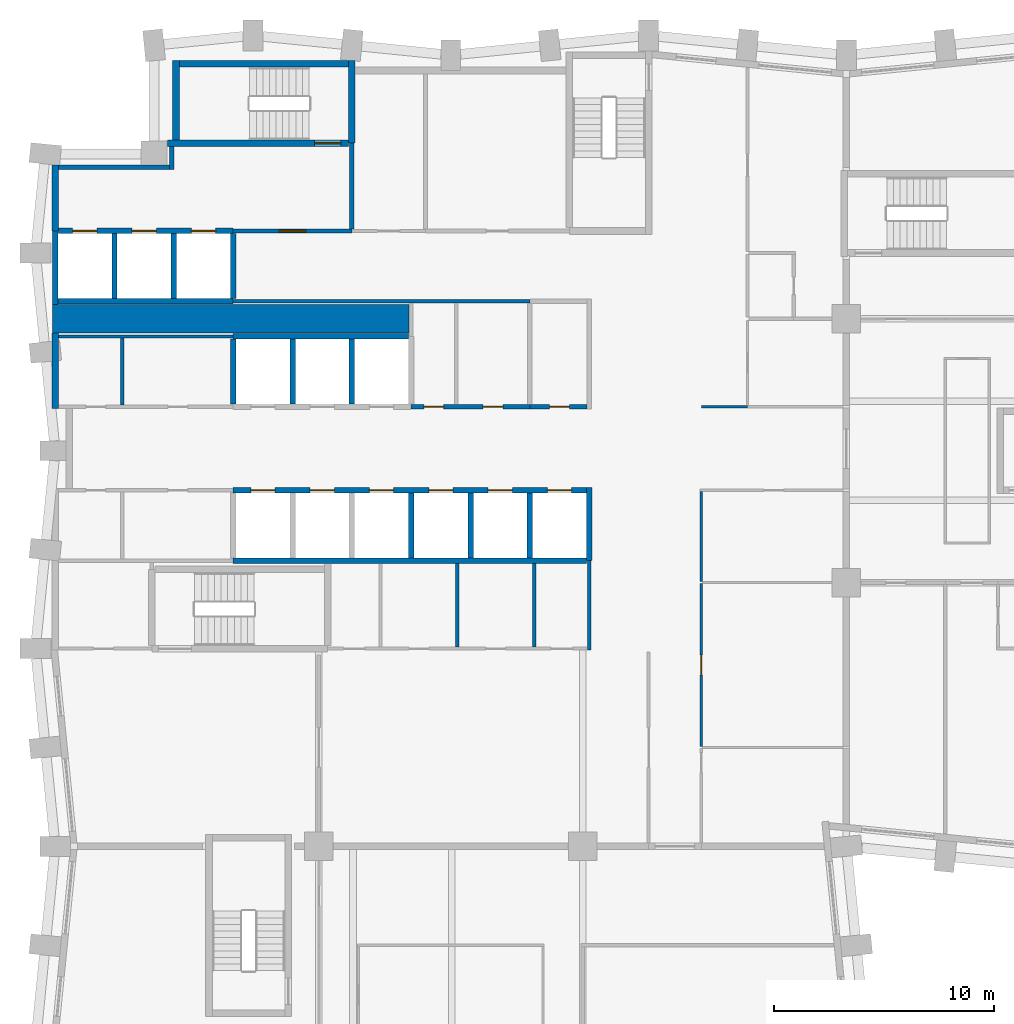
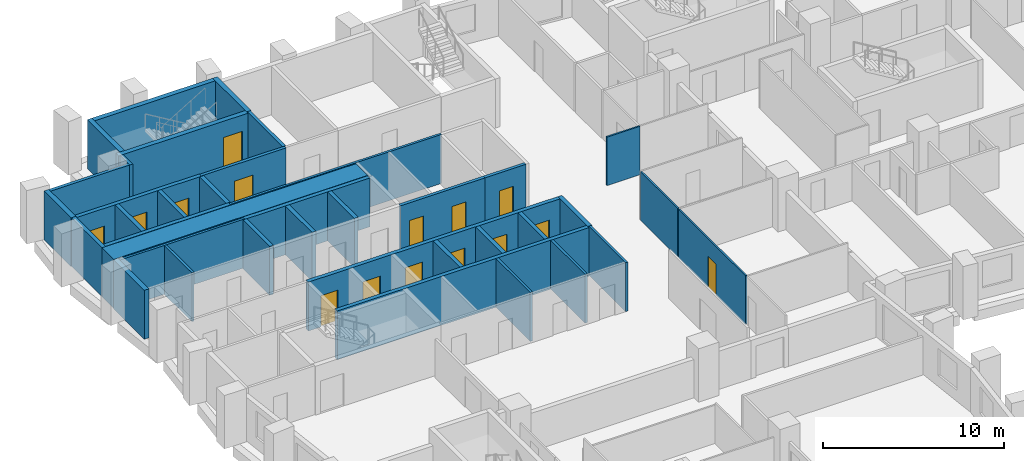
# One storey, part 6 of 13: 38 walls, 15 doors, 15 openings.
"""IFC4 building model written with IfcOpenShell, lengths in metres."""

import ifcopenshell
import ifcopenshell.guid

model = None  # the IFC model being written
_history = None  # IfcOwnerHistory: only IFC2X3 demands one
_inside = {}  # id of a spatial element -> (the spatial element, [elements in it])
_under = {}  # id of a project, library or spatial element -> (it, [spatial elements below it])
_declared = {}  # id of a project -> (the project, [libraries it declares])
_typed = {}  # id of a type object -> (the type object, [elements of that type])
_made_of = {}  # id of a material, layer set ... -> (it, [elements and type objects made of it])


def new_model(schema):
    """Start an empty IFC model of exactly this schema.

    Asked for "IFC4X3", IfcOpenShell would pick the latest addendum, in which some entities
    have other attributes; the version numbers below select the first issue.
    IFC2X3 requires an IfcOwnerHistory on every rooted entity: one is made here for all.
    """
    global model, _history
    if schema == "IFC4X3":
        model = ifcopenshell.file(schema_version=(4, 3, 0, 0))
    else:
        model = ifcopenshell.file(schema=schema)
    _inside.clear()
    _under.clear()
    _declared.clear()
    _typed.clear()
    _made_of.clear()
    _history = None
    if model.schema == "IFC2X3":
        org = make("IfcOrganization", Name="unknown")
        user = make(
            "IfcPersonAndOrganization",
            ThePerson=make("IfcPerson", FamilyName="unknown"),
            TheOrganization=org,
        )
        app = make(
            "IfcApplication",
            ApplicationDeveloper=org,
            Version="unknown",
            ApplicationFullName="unknown",
            ApplicationIdentifier="unknown",
        )
        _history = make(
            "IfcOwnerHistory",
            OwningUser=user,
            OwningApplication=app,
            ChangeAction="ADDED",
            CreationDate=0,
        )
    return model


def make(cls, **values):
    """One entity of the class cls with the attributes given. An attribute that is None is left unset."""
    return model.create_entity(
        cls, **{name: value for name, value in values.items() if value is not None}
    )


def rooted(cls, **values):
    """An entity with a GlobalId (a new one), such as an element, a storey or a relation."""
    return make(cls, GlobalId=ifcopenshell.guid.new(), OwnerHistory=_history, **values)


def si_unit(unit_type, name, prefix=None):
    """IfcSIUnit, for example si_unit("LENGTHUNIT", "METRE", prefix="MILLI")."""
    return make("IfcSIUnit", UnitType=unit_type, Prefix=prefix, Name=name)


def assignment(units):
    """IfcUnitAssignment: the units of a project."""
    return None if units is None else make("IfcUnitAssignment", Units=units)


def point(xyz):
    """IfcCartesianPoint."""
    return None if xyz is None else make("IfcCartesianPoint", Coordinates=xyz)


def direction(xyz):
    """IfcDirection."""
    return None if xyz is None else make("IfcDirection", DirectionRatios=xyz)


def frame(location, z_axis=None, x_axis=None):
    """IfcAxis2Placement3D, a coordinate frame: its origin and axes. An axis left out is left unset."""
    return make(
        "IfcAxis2Placement3D",
        Location=point(location),
        Axis=direction(z_axis),
        RefDirection=direction(x_axis),
    )


def frame_2d(location, x_axis=None):
    """IfcAxis2Placement2D, a coordinate frame in the plane: its origin and x axis."""
    return make(
        "IfcAxis2Placement2D", Location=point(location), RefDirection=direction(x_axis)
    )


def origin():
    """The frame at (0, 0, 0) with its axes left unset."""
    return frame((0.0, 0.0, 0.0))


def place(relative_to, where):
    """IfcLocalPlacement: puts the frame where relative to a parent placement (None: the world)."""
    return make(
        "IfcLocalPlacement", PlacementRelTo=relative_to, RelativePlacement=where
    )


def context(
    kind, dimensions, precision=None, world=None, true_north=None, identifier=None
):
    """IfcGeometricRepresentationContext, for example the 3D "Model" context."""
    return make(
        "IfcGeometricRepresentationContext",
        ContextIdentifier=identifier,
        ContextType=kind,
        CoordinateSpaceDimension=dimensions,
        Precision=precision,
        WorldCoordinateSystem=world,
        TrueNorth=true_north,
    )


def subcontext(parent, identifier, kind, view, scale=None):
    """IfcGeometricRepresentationSubContext, for example "Body" below "Model"."""
    return make(
        "IfcGeometricRepresentationSubContext",
        ContextIdentifier=identifier,
        ContextType=kind,
        ParentContext=parent,
        TargetScale=scale,
        TargetView=view,
    )


def project(units=None, contexts=None):
    """IfcProject with its units and contexts."""
    return rooted(
        "IfcProject",
        Name="project",
        RepresentationContexts=contexts,
        UnitsInContext=assignment(units),
    )


def spatial(cls, under=None, at=None, **own):
    """A site, building, storey or space (cls), placed at a placement, below another one or the project."""
    s = rooted(cls, ObjectPlacement=at, **own)
    if under is not None:
        _under.setdefault(under.id(), (under, []))[1].append(s)
    return s


def profile(cls, at=None, kind="AREA", **sizes):
    """A parametric profile (cls). Its sizes go by their IFC names, for example OverallWidth=200.0."""
    return make(cls, ProfileType=kind, Position=at, **sizes)


def rectangle(**sizes):
    """IfcRectangleProfileDef."""
    return profile("IfcRectangleProfileDef", **sizes)


def extrude(swept, where, along, depth):
    """IfcExtrudedAreaSolid: the profile swept, set in the frame where, extruded along a direction by depth."""
    return make(
        "IfcExtrudedAreaSolid",
        SweptArea=swept,
        Position=where,
        ExtrudedDirection=direction(along),
        Depth=depth,
    )


def shape(context_of_items, identifier, shape_type, items):
    """IfcShapeRepresentation: the items that make up one representation, for example the "Body"."""
    return make(
        "IfcShapeRepresentation",
        ContextOfItems=context_of_items,
        RepresentationIdentifier=identifier,
        RepresentationType=shape_type,
        Items=items,
    )


def material(Name=None, Category=None):
    """IfcMaterial."""
    return make("IfcMaterial", Name=Name, Category=Category)


def layer(
    of_material, thickness, ventilated=None, Name=None, Category=None, Priority=None
):
    """IfcMaterialLayer: one layer of a wall or slab, of a material (None: an air gap)."""
    return make(
        "IfcMaterialLayer",
        Material=of_material,
        LayerThickness=thickness,
        IsVentilated=ventilated,
        Name=Name,
        Category=Category,
        Priority=Priority,
    )


def layer_set(layers, Name=None):
    """IfcMaterialLayerSet."""
    return make("IfcMaterialLayerSet", MaterialLayers=layers, LayerSetName=Name)


def made_of(thing, what):
    """Note that an element or type object is made of a material, layer set ...; save() writes the relation."""
    if what is not None:
        _made_of.setdefault(what.id(), (what, []))[1].append(thing)
    return thing


def type_object(cls, material=None, **own):
    """A type object (cls), such as IfcWallType, which elements share."""
    return made_of(rooted(cls, **own), material)


def element(
    cls,
    number,
    at=None,
    inside=None,
    cuts=None,
    type_object=None,
    material=None,
    context=None,
    identifier="Body",
    shape_type=None,
    held_by="IfcProductDefinitionShape",
    body=None,
    shapes=None,
    **own,
):
    """One element of the class cls, such as IfcWall. Its Tag is "e" and its number.

    at: its placement. inside: the storey or other place that contains it. cuts: it is an
    opening in that element (IfcRelVoidsElement). A single representation is given by context,
    identifier, shape_type and body (its items); several are given by shapes. held_by: the class
    of the entity that holds the representations. save() writes the other relations.
    """
    e = rooted(cls, Tag="e%d" % number, ObjectPlacement=at, **own)
    if body is not None:
        shapes = [shape(context, identifier, shape_type, body)]
    if shapes is not None:
        e.Representation = make(held_by, Representations=shapes)
    if inside is not None:
        _inside.setdefault(inside.id(), (inside, []))[1].append(e)
    if cuts is not None:
        rooted(
            "IfcRelVoidsElement", RelatingBuildingElement=cuts, RelatedOpeningElement=e
        )
    if type_object is not None:
        _typed.setdefault(type_object.id(), (type_object, []))[1].append(e)
    return made_of(e, material)


def fill(opening, filler):
    """IfcRelFillsElement: the door or window that sits in an opening."""
    return rooted(
        "IfcRelFillsElement",
        RelatingOpeningElement=opening,
        RelatedBuildingElement=filler,
    )


def aggregate(whole, parts):
    """IfcRelAggregates: a whole, such as a stair, and the parts it consists of."""
    return rooted("IfcRelAggregates", RelatingObject=whole, RelatedObjects=parts)


def save(model, path):
    """Write the relations noted so far, then the file.

    IfcRelAggregates (storeys below a building ...), IfcRelContainedInSpatialStructure (elements
    in a storey), IfcRelDefinesByType, IfcRelAssociatesMaterial and IfcRelDeclares: one each for
    every whole, place, type object, material and project.
    """
    for whole, parts in _under.values():
        aggregate(whole, parts)
    for where, things in _inside.values():
        rooted(
            "IfcRelContainedInSpatialStructure",
            RelatedElements=things,
            RelatingStructure=where,
        )
    for kind, things in _typed.values():
        rooted("IfcRelDefinesByType", RelatedObjects=things, RelatingType=kind)
    for what, things in _made_of.values():
        rooted("IfcRelAssociatesMaterial", RelatedObjects=things, RelatingMaterial=what)
    for by, libraries in _declared.values():
        rooted("IfcRelDeclares", RelatingContext=by, RelatedDefinitions=libraries)
    model.write(path)


model = new_model("IFC4")

# Units and contexts
model_context = context("Model", 3, precision=1e-05, world=origin(), true_north=direction((0.0, 1.0)))
body_context = subcontext(model_context, "Body", "Model", "MODEL_VIEW")
ifc_project = project(units=[si_unit("LENGTHUNIT", "METRE"), si_unit("AREAUNIT", "SQUARE_METRE"), si_unit("VOLUMEUNIT", "CUBIC_METRE"), si_unit("PLANEANGLEUNIT", "RADIAN"), si_unit("MASSUNIT", "GRAM", prefix="KILO")], contexts=[model_context])

# Site, building, storey
site_placement = place(None, origin())
site = spatial("IfcSite", under=ifc_project, at=site_placement, CompositionType="ELEMENT")
building_placement = place(site_placement, origin())
building = spatial("IfcBuilding", under=site, at=building_placement, Name="Brondeck Convention Tower", CompositionType="ELEMENT")
storey_placement = place(building_placement, frame((0.0, 0.0, 73.5)))
storey = spatial("IfcBuildingStorey", under=building, at=storey_placement, Name="L16", CompositionType="ELEMENT", Elevation=73.5)

# Walls
ifc_material_1 = material(Name="Concrete C80/95", Category="concrete")
ifc_layer_1 = layer(ifc_material_1, 0.14990234375)
ifc_layer_set_1 = layer_set([ifc_layer_1], Name="Core beam-seat wall 150 Concrete C80/95")
wall_type_1 = type_object("IfcWallType", Name="Core beam-seat wall 150 Concrete C80/95", PredefinedType="SHEAR", material=ifc_layer_set_1)
wall_1_placement = place(storey_placement, frame((24.300048828125, 35.925048828125, 0.0), z_axis=(0.0, 0.0, 1.0), x_axis=(0.0, 1.0, 0.0)))
element("IfcWall", 1, at=wall_1_placement, inside=storey, type_object=wall_type_1, Name="L16 core wall", PredefinedType="SHEAR", context=body_context, shape_type="SweptSolid", body=[
    extrude(rectangle(XDim=4.074951171875, YDim=0.14990234375, at=frame_2d((2.03759765625, 0.0))), origin(), (0.0, 0.0, 1.0), 3.300048828125),
])
ifc_layer_2 = layer(ifc_material_1, 0.300048828125)
ifc_layer_set_2 = layer_set([ifc_layer_2], Name="Core outer wall 300 Concrete C80/95")
wall_type_2 = type_object("IfcWallType", Name="Core outer wall 300 Concrete C80/95", PredefinedType="SHEAR", material=ifc_layer_set_2)
wall_2_placement = place(storey_placement, frame((0.0, 46.925048828125, 0.0), z_axis=(0.0, 0.0, 1.0), x_axis=(0.0, 1.0, 0.0)))
element("IfcWall", 2, at=wall_2_placement, inside=storey, type_object=wall_type_2, Name="L16 core wall", PredefinedType="SHEAR", context=body_context, shape_type="SweptSolid", body=[
    extrude(rectangle(XDim=3.425048828125, YDim=0.300048828125, at=frame_2d((1.71240234375, 0.0))), origin(), (0.0, 0.0, 1.0), 3.300048828125),
])
wall_3_placement = place(storey_placement, frame((0.0, 55.0, 0.0), z_axis=(0.0, 0.0, 1.0), x_axis=(0.0, 1.0, 0.0)))
element("IfcWall", 3, at=wall_3_placement, inside=storey, type_object=wall_type_2, Name="L16 core wall", PredefinedType="SHEAR", context=body_context, shape_type="SweptSolid", body=[
    extrude(rectangle(XDim=3.0, YDim=0.300048828125, at=frame_2d((1.5, 0.0))), origin(), (0.0, 0.0, 1.0), 3.300048828125),
])
ifc_material_2 = material(Name="Fire-rated gypsum board partition")
ifc_layer_3 = layer(ifc_material_2, 0.14990234375)
ifc_layer_set_3 = layer_set([ifc_layer_3], Name="Core partition 150 EI 60")
wall_type_3 = type_object("IfcWallType", Name="Core partition 150 EI 60", PredefinedType="PARTITIONING", material=ifc_layer_set_3)
wall_4_placement = place(storey_placement, frame((0.14990234375, 50.199951171875, 0.0), z_axis=(0.0, 0.0, 1.0), x_axis=(1.0, 0.0, 0.0)))
element("IfcWall", 4, at=wall_4_placement, inside=storey, type_object=wall_type_3, Name="L16 core wall", PredefinedType="PARTITIONING", context=body_context, shape_type="SweptSolid", body=[
    extrude(rectangle(XDim=7.9501953125, YDim=0.14990234375, at=frame_2d((3.97509765625, 0.0))), origin(), (0.0, 0.0, 1.0), 3.300048828125),
])
wall_5_placement = place(storey_placement, frame((8.10009765625, 51.800048828125, 0.0), z_axis=(0.0, 0.0, 1.0), x_axis=(1.0, 0.0, 0.0)))
element("IfcWall", 5, at=wall_5_placement, inside=storey, type_object=wall_type_3, Name="L16 core wall", PredefinedType="PARTITIONING", context=body_context, shape_type="SweptSolid", body=[
    extrude(rectangle(XDim=13.5, YDim=0.14990234375, at=frame_2d((6.75, 0.0))), origin(), (0.0, 0.0, 1.0), 3.300048828125),
])
wall_6_placement = place(storey_placement, frame((3.050048828125, 47.074951171875, 0.0), z_axis=(0.0, 0.0, 1.0), x_axis=(0.0, 1.0, 0.0)))
element("IfcWall", 6, at=wall_6_placement, inside=storey, type_object=wall_type_3, Name="L16 core wall", PredefinedType="PARTITIONING", context=body_context, shape_type="SweptSolid", body=[
    extrude(rectangle(XDim=3.050048828125, YDim=0.14990234375, at=frame_2d((1.52490234375, 0.0))), origin(), (0.0, 0.0, 1.0), 3.300048828125),
])
for number, where, z_axis, x_axis, name in (
    (7, (18.300048828125, 36.074951171875, 0.0), (0.0, 0.0, 1.0), (0.0, 1.0, 0.0), "L16 core wall"),
    (8, (21.800048828125, 36.074951171875, 0.0), (0.0, 0.0, 1.0), (0.0, 1.0, 0.0), "L16 core wall"),
):
    element("IfcWall", number, at=place(storey_placement, frame(where, z_axis=z_axis, x_axis=x_axis)), inside=storey, type_object=wall_type_3, Name=name, PredefinedType="PARTITIONING", context=body_context, shape_type="SweptSolid", body=[
        extrude(rectangle(XDim=3.800048828125, YDim=0.14990234375, at=frame_2d((1.89990234375, 0.0))), origin(), (0.0, 0.0, 1.0), 3.300048828125),
    ])
ifc_layer_4 = layer(ifc_material_1, 1.300048828125)
ifc_layer_set_4 = layer_set([ifc_layer_4], Name="Core shear wall 1300 Concrete C80/95")
wall_type_4 = type_object("IfcWallType", Name="Core shear wall 1300 Concrete C80/95", PredefinedType="SHEAR", material=ifc_layer_set_4)
wall_7_placement = place(storey_placement, frame((-0.125, 51.0, 0.0), z_axis=(0.0, 0.0, 1.0), x_axis=(1.0, 0.0, 0.0)))
element("IfcWall", 9, at=wall_7_placement, inside=storey, type_object=wall_type_4, Name="L16 core wall", PredefinedType="SHEAR", context=body_context, shape_type="SweptSolid", body=[
    extrude(rectangle(XDim=16.22509765625, YDim=1.300048828125, at=frame_2d((8.112548828125, 0.0))), origin(), (0.0, 0.0, 1.0), 3.300048828125),
])

# Wall, opening, door
ifc_layer_5 = layer(ifc_material_2, 0.199951171875)
ifc_layer_set_5 = layer_set([ifc_layer_5], Name="Firefighting lobby wall 200 EI 120")
wall_type_5 = type_object("IfcWallType", Name="Firefighting lobby wall 200 EI 120", PredefinedType="PARTITIONING", material=ifc_layer_set_5)
wall_8_placement = place(storey_placement, frame((8.10009765625, 55.0, 0.0), z_axis=(0.0, 0.0, 1.0), x_axis=(1.0, 0.0, 0.0)))
wall_8 = element("IfcWall", 10, at=wall_8_placement, inside=storey, type_object=wall_type_5, Name="L16 core wall", PredefinedType="PARTITIONING", context=body_context, shape_type="SweptSolid", body=[
    extrude(rectangle(XDim=5.39990234375, YDim=0.199951171875, at=frame_2d((2.699951171875, 0.0))), origin(), (0.0, 0.0, 1.0), 3.300048828125),
])
opening_1_placement = place(wall_8_placement, frame((2.10009765625, 0.0, 0.0)))
opening_1 = element("IfcOpeningElement", 11, at=opening_1_placement, cuts=wall_8, Name="Opening C11-01", PredefinedType="OPENING", context=body_context, shape_type="SweptSolid", body=[
    extrude(rectangle(XDim=1.199951171875, YDim=2.199951171875, at=frame_2d((0.60009765625, 1.10009765625))), frame((0.0, 0.10986328125, 0.0), z_axis=(0.0, -1.0, 0.0), x_axis=(1.0, 0.0, 0.0)), (0.0, 0.0, 1.0), 0.219970703125),
])
ifc_material_3 = material(Name="Steel fire door", Category="steel")
door_type_1 = type_object("IfcDoorType", Name="Firefighting lobby door 1200x2200 EI 120", OperationType="NOTDEFINED", PredefinedType="DOOR", material=ifc_material_3)
door_1_placement = place(opening_1_placement, origin())
door_1 = element("IfcDoor", 12, at=door_1_placement, inside=storey, type_object=door_type_1, Name="L16 Firefighting lobby door FFL-1", OperationType="SINGLE_SWING_RIGHT", OverallHeight=2.199951171875, OverallWidth=1.199951171875, PredefinedType="DOOR", context=body_context, shape_type="SweptSolid", body=[
    extrude(rectangle(XDim=1.199951171875, YDim=2.199951171875, at=frame_2d((0.60009765625, 1.10009765625))), frame((0.0, 0.02490234375, 0.0), z_axis=(0.0, -1.0, 0.0), x_axis=(1.0, 0.0, 0.0)), (0.0, 0.0, 1.0), 0.050048828125),
])
fill(opening_1, door_1)

# Walls
wall_9_placement = place(storey_placement, frame((0.14990234375, 57.89990234375, 0.0), z_axis=(0.0, 0.0, 1.0), x_axis=(1.0, 0.0, 0.0)))
element("IfcWall", 13, at=wall_9_placement, inside=storey, type_object=wall_type_5, Name="L16 core wall", PredefinedType="PARTITIONING", context=body_context, shape_type="SweptSolid", body=[
    extrude(rectangle(XDim=5.050048828125, YDim=0.199951171875, at=frame_2d((2.52490234375, 0.0))), origin(), (0.0, 0.0, 1.0), 3.300048828125),
])
wall_10_placement = place(storey_placement, frame((5.300048828125, 57.800048828125, 0.0), z_axis=(0.0, 0.0, 1.0), x_axis=(0.0, 1.0, 0.0)))
element("IfcWall", 14, at=wall_10_placement, inside=storey, type_object=wall_type_5, Name="L16 core wall", PredefinedType="PARTITIONING", context=body_context, shape_type="SweptSolid", body=[
    extrude(rectangle(XDim=1.050048828125, YDim=0.199951171875, at=frame_2d((0.52490234375, 0.0))), origin(), (0.0, 0.0, 1.0), 3.300048828125),
])
wall_11_placement = place(storey_placement, frame((13.5, 55.10009765625, 0.0), z_axis=(0.0, 0.0, 1.0), x_axis=(0.0, 1.0, 0.0)))
element("IfcWall", 15, at=wall_11_placement, inside=storey, type_object=wall_type_5, Name="L16 core wall", PredefinedType="PARTITIONING", context=body_context, shape_type="SweptSolid", body=[
    extrude(rectangle(XDim=3.89990234375, YDim=0.199951171875, at=frame_2d((1.949951171875, 0.0))), origin(), (0.0, 0.0, 1.0), 3.300048828125),
])

# Wall, openings, doors
ifc_layer_6 = layer(ifc_material_2, 0.199951171875)
ifc_layer_set_6 = layer_set([ifc_layer_6], Name="Lift lobby wall 200 EI 60")
wall_type_6 = type_object("IfcWallType", Name="Lift lobby wall 200 EI 60", PredefinedType="PARTITIONING", material=ifc_layer_set_6)
wall_12_placement = place(storey_placement, frame((16.199951171875, 47.0, 0.0), z_axis=(0.0, 0.0, 1.0), x_axis=(1.0, 0.0, 0.0)))
wall_12 = element("IfcWall", 16, at=wall_12_placement, inside=storey, type_object=wall_type_6, Name="L16 core wall", PredefinedType="PARTITIONING", context=body_context, shape_type="SweptSolid", body=[
    extrude(rectangle(XDim=5.400146484375, YDim=0.199951171875, at=frame_2d((2.7001953125, 0.0))), origin(), (0.0, 0.0, 1.0), 3.300048828125),
])
opening_2_placement = place(wall_12_placement, frame((0.574951171875, 0.0, 0.0)))
opening_2 = element("IfcOpeningElement", 17, at=opening_2_placement, cuts=wall_12, Name="Opening C11-10", PredefinedType="OPENING", context=body_context, shape_type="SweptSolid", body=[
    extrude(rectangle(XDim=0.89990234375, YDim=2.10009765625, at=frame_2d((0.449951171875, 1.050048828125))), frame((0.0, 0.10986328125, 0.0), z_axis=(0.0, -1.0, 0.0), x_axis=(1.0, 0.0, 0.0)), (0.0, 0.0, 1.0), 0.219970703125),
])
opening_3_placement = place(wall_12_placement, frame((3.27490234375, 0.0, 0.0)))
opening_3 = element("IfcOpeningElement", 18, at=opening_3_placement, cuts=wall_12, Name="Opening C11-11", PredefinedType="OPENING", context=body_context, shape_type="SweptSolid", body=[
    extrude(rectangle(XDim=0.89990234375, YDim=2.10009765625, at=frame_2d((0.449951171875, 1.050048828125))), frame((0.0, 0.10986328125, 0.0), z_axis=(0.0, -1.0, 0.0), x_axis=(1.0, 0.0, 0.0)), (0.0, 0.0, 1.0), 0.219970703125),
])
door_type_2 = type_object("IfcDoorType", Name="Room door 900x2100 EI 60", OperationType="NOTDEFINED", PredefinedType="DOOR", material=ifc_material_3)
door_2_placement = place(opening_2_placement, origin())
door_2 = element("IfcDoor", 19, at=door_2_placement, inside=storey, type_object=door_type_2, Name="L16 Room door FZ-N-16.2-1", OperationType="SINGLE_SWING_LEFT", OverallHeight=2.10009765625, OverallWidth=0.89990234375, PredefinedType="DOOR", context=body_context, shape_type="SweptSolid", body=[
    extrude(rectangle(XDim=0.89990234375, YDim=2.10009765625, at=frame_2d((0.449951171875, 1.050048828125))), frame((0.0, 0.02490234375, 0.0), z_axis=(0.0, -1.0, 0.0), x_axis=(1.0, 0.0, 0.0)), (0.0, 0.0, 1.0), 0.050048828125),
])
fill(opening_2, door_2)
door_3_placement = place(opening_3_placement, origin())
door_3 = element("IfcDoor", 20, at=door_3_placement, inside=storey, type_object=door_type_2, Name="L16 Room door FZ-N-16.2-2", OperationType="SINGLE_SWING_RIGHT", OverallHeight=2.10009765625, OverallWidth=0.89990234375, PredefinedType="DOOR", context=body_context, shape_type="SweptSolid", body=[
    extrude(rectangle(XDim=0.89990234375, YDim=2.10009765625, at=frame_2d((0.449951171875, 1.050048828125))), frame((0.0, 0.02490234375, 0.0), z_axis=(0.0, -1.0, 0.0), x_axis=(1.0, 0.0, 0.0)), (0.0, 0.0, 1.0), 0.050048828125),
])
fill(opening_3, door_3)

# Wall
ifc_layer_7 = layer(ifc_material_1, 0.25)
ifc_layer_set_7 = layer_set([ifc_layer_7], Name="Lift shaft wall 250 Concrete C80/95")
wall_type_7 = type_object("IfcWallType", Name="Lift shaft wall 250 Concrete C80/95", PredefinedType="SHEAR", material=ifc_layer_set_7)
wall_13_placement = place(storey_placement, frame((8.10009765625, 40.0, 0.0), z_axis=(0.0, 0.0, 1.0), x_axis=(1.0, 0.0, 0.0)))
element("IfcWall", 21, at=wall_13_placement, inside=storey, type_object=wall_type_7, Name="L16 core wall", PredefinedType="SHEAR", context=body_context, shape_type="SweptSolid", body=[
    extrude(rectangle(XDim=16.074951171875, YDim=0.25, at=frame_2d((8.03759765625, 0.0))), origin(), (0.0, 0.0, 1.0), 3.300048828125),
])

# Wall, openings, doors
wall_14_placement = place(storey_placement, frame((8.10009765625, 43.199951171875, 0.0), z_axis=(0.0, 0.0, 1.0), x_axis=(1.0, 0.0, 0.0)))
wall_14 = element("IfcWall", 22, at=wall_14_placement, inside=storey, type_object=wall_type_7, Name="L16 core wall", PredefinedType="SHEAR", context=body_context, shape_type="SweptSolid", body=[
    extrude(rectangle(XDim=16.074951171875, YDim=0.25, at=frame_2d((8.03759765625, 0.0))), origin(), (0.0, 0.0, 1.0), 3.300048828125),
])
opening_4_placement = place(wall_14_placement, frame((14.300048828125, 0.0, 0.0)))
opening_4 = element("IfcOpeningElement", 23, at=opening_4_placement, cuts=wall_14, Name="Opening C11-26", PredefinedType="OPENING", context=body_context, shape_type="SweptSolid", body=[
    extrude(rectangle(XDim=1.10009765625, YDim=2.10009765625, at=frame_2d((0.550048828125, 1.050048828125))), frame((0.0, 0.135009765625, 0.0), z_axis=(0.0, -1.0, 0.0), x_axis=(1.0, 0.0, 0.0)), (0.0, 0.0, 1.0), 0.27001953125),
])
opening_5_placement = place(wall_14_placement, frame((0.800048828125, 0.0, 0.0)))
opening_5 = element("IfcOpeningElement", 24, at=opening_5_placement, cuts=wall_14, Name="Opening C11-27", PredefinedType="OPENING", context=body_context, shape_type="SweptSolid", body=[
    extrude(rectangle(XDim=1.10009765625, YDim=2.10009765625, at=frame_2d((0.550048828125, 1.050048828125))), frame((0.0, 0.135009765625, 0.0), z_axis=(0.0, -1.0, 0.0), x_axis=(1.0, 0.0, 0.0)), (0.0, 0.0, 1.0), 0.27001953125),
])
opening_6_placement = place(wall_14_placement, frame((3.5, 0.0, 0.0)))
opening_6 = element("IfcOpeningElement", 25, at=opening_6_placement, cuts=wall_14, Name="Opening C11-28", PredefinedType="OPENING", context=body_context, shape_type="SweptSolid", body=[
    extrude(rectangle(XDim=1.10009765625, YDim=2.10009765625, at=frame_2d((0.550048828125, 1.050048828125))), frame((0.0, 0.135009765625, 0.0), z_axis=(0.0, -1.0, 0.0), x_axis=(1.0, 0.0, 0.0)), (0.0, 0.0, 1.0), 0.27001953125),
])
opening_7_placement = place(wall_14_placement, frame((6.199951171875, 0.0, 0.0)))
opening_7 = element("IfcOpeningElement", 26, at=opening_7_placement, cuts=wall_14, Name="Opening C11-29", PredefinedType="OPENING", context=body_context, shape_type="SweptSolid", body=[
    extrude(rectangle(XDim=1.10009765625, YDim=2.10009765625, at=frame_2d((0.550048828125, 1.050048828125))), frame((0.0, 0.135009765625, 0.0), z_axis=(0.0, -1.0, 0.0), x_axis=(1.0, 0.0, 0.0)), (0.0, 0.0, 1.0), 0.27001953125),
])
opening_8_placement = place(wall_14_placement, frame((8.89990234375, 0.0, 0.0)))
opening_8 = element("IfcOpeningElement", 27, at=opening_8_placement, cuts=wall_14, Name="Opening C11-33", PredefinedType="OPENING", context=body_context, shape_type="SweptSolid", body=[
    extrude(rectangle(XDim=1.10009765625, YDim=2.10009765625, at=frame_2d((0.550048828125, 1.050048828125))), frame((0.0, 0.135009765625, 0.0), z_axis=(0.0, -1.0, 0.0), x_axis=(1.0, 0.0, 0.0)), (0.0, 0.0, 1.0), 0.27001953125),
])
opening_9_placement = place(wall_14_placement, frame((11.60009765625, 0.0, 0.0)))
opening_9 = element("IfcOpeningElement", 28, at=opening_9_placement, cuts=wall_14, Name="Opening C11-34", PredefinedType="OPENING", context=body_context, shape_type="SweptSolid", body=[
    extrude(rectangle(XDim=1.10009765625, YDim=2.10009765625, at=frame_2d((0.550048828125, 1.050048828125))), frame((0.0, 0.135009765625, 0.0), z_axis=(0.0, -1.0, 0.0), x_axis=(1.0, 0.0, 0.0)), (0.0, 0.0, 1.0), 0.27001953125),
])
ifc_material_4 = material(Name="Stainless steel lift door", Category="steel")
door_type_3 = type_object("IfcDoorType", Name="Lift landing door 1100x2100 EI 180", OperationType="DOUBLE_DOOR_SLIDING", PredefinedType="DOOR", material=ifc_material_4)
door_4_placement = place(opening_4_placement, origin())
door_4 = element("IfcDoor", 29, at=door_4_placement, inside=storey, type_object=door_type_3, Name="L16 Lift landing door HS1", OperationType="DOUBLE_DOOR_SLIDING", OverallHeight=2.10009765625, OverallWidth=1.10009765625, PredefinedType="DOOR", context=body_context, shape_type="SweptSolid", body=[
    extrude(rectangle(XDim=1.10009765625, YDim=2.10009765625, at=frame_2d((0.550048828125, 1.050048828125))), frame((0.0, 0.02490234375, 0.0), z_axis=(0.0, -1.0, 0.0), x_axis=(1.0, 0.0, 0.0)), (0.0, 0.0, 1.0), 0.050048828125),
])
fill(opening_4, door_4)
door_5_placement = place(opening_5_placement, origin())
door_5 = element("IfcDoor", 30, at=door_5_placement, inside=storey, type_object=door_type_3, Name="L16 Lift landing door LR1", OperationType="DOUBLE_DOOR_SLIDING", OverallHeight=2.10009765625, OverallWidth=1.10009765625, PredefinedType="DOOR", context=body_context, shape_type="SweptSolid", body=[
    extrude(rectangle(XDim=1.10009765625, YDim=2.10009765625, at=frame_2d((0.550048828125, 1.050048828125))), frame((0.0, 0.02490234375, 0.0), z_axis=(0.0, -1.0, 0.0), x_axis=(1.0, 0.0, 0.0)), (0.0, 0.0, 1.0), 0.050048828125),
])
fill(opening_5, door_5)
door_6_placement = place(opening_6_placement, origin())
door_6 = element("IfcDoor", 31, at=door_6_placement, inside=storey, type_object=door_type_3, Name="L16 Lift landing door LR2", OperationType="DOUBLE_DOOR_SLIDING", OverallHeight=2.10009765625, OverallWidth=1.10009765625, PredefinedType="DOOR", context=body_context, shape_type="SweptSolid", body=[
    extrude(rectangle(XDim=1.10009765625, YDim=2.10009765625, at=frame_2d((0.550048828125, 1.050048828125))), frame((0.0, 0.02490234375, 0.0), z_axis=(0.0, -1.0, 0.0), x_axis=(1.0, 0.0, 0.0)), (0.0, 0.0, 1.0), 0.050048828125),
])
fill(opening_6, door_6)
door_7_placement = place(opening_7_placement, origin())
door_7 = element("IfcDoor", 32, at=door_7_placement, inside=storey, type_object=door_type_3, Name="L16 Lift landing door LR3", OperationType="DOUBLE_DOOR_SLIDING", OverallHeight=2.10009765625, OverallWidth=1.10009765625, PredefinedType="DOOR", context=body_context, shape_type="SweptSolid", body=[
    extrude(rectangle(XDim=1.10009765625, YDim=2.10009765625, at=frame_2d((0.550048828125, 1.050048828125))), frame((0.0, 0.02490234375, 0.0), z_axis=(0.0, -1.0, 0.0), x_axis=(1.0, 0.0, 0.0)), (0.0, 0.0, 1.0), 0.050048828125),
])
fill(opening_7, door_7)
door_8_placement = place(opening_8_placement, origin())
door_8 = element("IfcDoor", 33, at=door_8_placement, inside=storey, type_object=door_type_3, Name="L16 Lift landing door SH1", OperationType="DOUBLE_DOOR_SLIDING", OverallHeight=2.10009765625, OverallWidth=1.10009765625, PredefinedType="DOOR", context=body_context, shape_type="SweptSolid", body=[
    extrude(rectangle(XDim=1.10009765625, YDim=2.10009765625, at=frame_2d((0.550048828125, 1.050048828125))), frame((0.0, 0.02490234375, 0.0), z_axis=(0.0, -1.0, 0.0), x_axis=(1.0, 0.0, 0.0)), (0.0, 0.0, 1.0), 0.050048828125),
])
fill(opening_8, door_8)
door_9_placement = place(opening_9_placement, origin())
door_9 = element("IfcDoor", 34, at=door_9_placement, inside=storey, type_object=door_type_3, Name="L16 Lift landing door SH2", OperationType="DOUBLE_DOOR_SLIDING", OverallHeight=2.10009765625, OverallWidth=1.10009765625, PredefinedType="DOOR", context=body_context, shape_type="SweptSolid", body=[
    extrude(rectangle(XDim=1.10009765625, YDim=2.10009765625, at=frame_2d((0.550048828125, 1.050048828125))), frame((0.0, 0.02490234375, 0.0), z_axis=(0.0, -1.0, 0.0), x_axis=(1.0, 0.0, 0.0)), (0.0, 0.0, 1.0), 0.050048828125),
])
fill(opening_9, door_9)

# Walls
wall_15_placement = place(storey_placement, frame((8.10009765625, 50.199951171875, 0.0), z_axis=(0.0, 0.0, 1.0), x_axis=(1.0, 0.0, 0.0)))
element("IfcWall", 35, at=wall_15_placement, inside=storey, type_object=wall_type_7, Name="L16 core wall", PredefinedType="SHEAR", context=body_context, shape_type="SweptSolid", body=[
    extrude(rectangle(XDim=7.974853515625, YDim=0.25, at=frame_2d((3.9873046875, 0.0))), origin(), (0.0, 0.0, 1.0), 3.300048828125),
])
wall_16_placement = place(storey_placement, frame((0.125, 51.800048828125, 0.0), z_axis=(0.0, 0.0, 1.0), x_axis=(1.0, 0.0, 0.0)))
element("IfcWall", 36, at=wall_16_placement, inside=storey, type_object=wall_type_7, Name="L16 core wall", PredefinedType="SHEAR", context=body_context, shape_type="SweptSolid", body=[
    extrude(rectangle(XDim=7.97509765625, YDim=0.25, at=frame_2d((3.987548828125, 0.0))), origin(), (0.0, 0.0, 1.0), 3.300048828125),
])

# Wall, openings, doors
wall_17_placement = place(storey_placement, frame((0.14990234375, 55.0, 0.0), z_axis=(0.0, 0.0, 1.0), x_axis=(1.0, 0.0, 0.0)))
wall_17 = element("IfcWall", 37, at=wall_17_placement, inside=storey, type_object=wall_type_7, Name="L16 core wall", PredefinedType="SHEAR", context=body_context, shape_type="SweptSolid", body=[
    extrude(rectangle(XDim=7.9501953125, YDim=0.25, at=frame_2d((3.97509765625, 0.0))), origin(), (0.0, 0.0, 1.0), 3.300048828125),
])
opening_10_placement = place(wall_17_placement, frame((0.64990234375, 0.0, 0.0)))
opening_10 = element("IfcOpeningElement", 38, at=opening_10_placement, cuts=wall_17, Name="Opening C11-23", PredefinedType="OPENING", context=body_context, shape_type="SweptSolid", body=[
    extrude(rectangle(XDim=1.10009765625, YDim=2.10009765625, at=frame_2d((0.550048828125, 1.050048828125))), frame((0.0, 0.135009765625, 0.0), z_axis=(0.0, -1.0, 0.0), x_axis=(1.0, 0.0, 0.0)), (0.0, 0.0, 1.0), 0.27001953125),
])
opening_11_placement = place(wall_17_placement, frame((3.35009765625, 0.0, 0.0)))
opening_11 = element("IfcOpeningElement", 39, at=opening_11_placement, cuts=wall_17, Name="Opening C11-24", PredefinedType="OPENING", context=body_context, shape_type="SweptSolid", body=[
    extrude(rectangle(XDim=1.10009765625, YDim=2.10009765625, at=frame_2d((0.550048828125, 1.050048828125))), frame((0.0, 0.135009765625, 0.0), z_axis=(0.0, -1.0, 0.0), x_axis=(1.0, 0.0, 0.0)), (0.0, 0.0, 1.0), 0.27001953125),
])
opening_12_placement = place(wall_17_placement, frame((6.050048828125, 0.0, 0.0)))
opening_12 = element("IfcOpeningElement", 40, at=opening_12_placement, cuts=wall_17, Name="Opening C11-25", PredefinedType="OPENING", context=body_context, shape_type="SweptSolid", body=[
    extrude(rectangle(XDim=1.10009765625, YDim=2.10009765625, at=frame_2d((0.550048828125, 1.050048828125))), frame((0.0, 0.135009765625, 0.0), z_axis=(0.0, -1.0, 0.0), x_axis=(1.0, 0.0, 0.0)), (0.0, 0.0, 1.0), 0.27001953125),
])
door_10_placement = place(opening_10_placement, origin())
door_10 = element("IfcDoor", 41, at=door_10_placement, inside=storey, type_object=door_type_3, Name="L16 Lift landing door FF1", OperationType="DOUBLE_DOOR_SLIDING", OverallHeight=2.10009765625, OverallWidth=1.10009765625, PredefinedType="DOOR", context=body_context, shape_type="SweptSolid", body=[
    extrude(rectangle(XDim=1.10009765625, YDim=2.10009765625, at=frame_2d((0.550048828125, 1.050048828125))), frame((0.0, 0.02490234375, 0.0), z_axis=(0.0, -1.0, 0.0), x_axis=(1.0, 0.0, 0.0)), (0.0, 0.0, 1.0), 0.050048828125),
])
fill(opening_10, door_10)
door_11_placement = place(opening_11_placement, origin())
door_11 = element("IfcDoor", 42, at=door_11_placement, inside=storey, type_object=door_type_3, Name="L16 Lift landing door FF2", OperationType="DOUBLE_DOOR_SLIDING", OverallHeight=2.10009765625, OverallWidth=1.10009765625, PredefinedType="DOOR", context=body_context, shape_type="SweptSolid", body=[
    extrude(rectangle(XDim=1.10009765625, YDim=2.10009765625, at=frame_2d((0.550048828125, 1.050048828125))), frame((0.0, 0.02490234375, 0.0), z_axis=(0.0, -1.0, 0.0), x_axis=(1.0, 0.0, 0.0)), (0.0, 0.0, 1.0), 0.050048828125),
])
fill(opening_11, door_11)
door_12_placement = place(opening_12_placement, origin())
door_12 = element("IfcDoor", 43, at=door_12_placement, inside=storey, type_object=door_type_3, Name="L16 Lift landing door FF3", OperationType="DOUBLE_DOOR_SLIDING", OverallHeight=2.10009765625, OverallWidth=1.10009765625, PredefinedType="DOOR", context=body_context, shape_type="SweptSolid", body=[
    extrude(rectangle(XDim=1.10009765625, YDim=2.10009765625, at=frame_2d((0.550048828125, 1.050048828125))), frame((0.0, 0.02490234375, 0.0), z_axis=(0.0, -1.0, 0.0), x_axis=(1.0, 0.0, 0.0)), (0.0, 0.0, 1.0), 0.050048828125),
])
fill(opening_12, door_12)

# Walls
wall_18_placement = place(storey_placement, frame((0.0, 51.64990234375, 0.0), z_axis=(0.0, 0.0, 1.0), x_axis=(0.0, 1.0, 0.0)))
element("IfcWall", 44, at=wall_18_placement, inside=storey, type_object=wall_type_7, Name="L16 core wall", PredefinedType="SHEAR", context=body_context, shape_type="SweptSolid", body=[
    extrude(rectangle(XDim=3.35009765625, YDim=0.25, at=frame_2d((1.675048828125, 0.0))), origin(), (0.0, 0.0, 1.0), 3.300048828125),
])
for number, where, z_axis, x_axis, name in (
    (45, (2.699951171875, 51.925048828125, 0.0), (0.0, 0.0, 1.0), (0.0, 1.0, 0.0), "L16 core wall"),
    (46, (5.39990234375, 51.925048828125, 0.0), (0.0, 0.0, 1.0), (0.0, 1.0, 0.0), "L16 core wall"),
    (47, (8.10009765625, 47.125, 0.0), (0.0, 0.0, 1.0), (0.0, 1.0, 0.0), "L16 core wall"),
    (48, (8.10009765625, 51.925048828125, 0.0), (0.0, 0.0, 1.0), (0.0, 1.0, 0.0), "L16 core wall"),
    (49, (10.800048828125, 47.125, 0.0), (0.0, 0.0, 1.0), (0.0, 1.0, 0.0), "L16 core wall"),
    (50, (13.5, 47.125, 0.0), (0.0, 0.0, 1.0), (0.0, 1.0, 0.0), "L16 core wall"),
    (51, (16.199951171875, 40.125, 0.0), (0.0, 0.0, 1.0), (0.0, 1.0, 0.0), "L16 core wall"),
    (52, (18.89990234375, 40.125, 0.0), (0.0, 0.0, 1.0), (0.0, 1.0, 0.0), "L16 core wall"),
    (53, (21.60009765625, 40.125, 0.0), (0.0, 0.0, 1.0), (0.0, 1.0, 0.0), "L16 core wall"),
):
    element("IfcWall", number, at=place(storey_placement, frame(where, z_axis=z_axis, x_axis=x_axis)), inside=storey, type_object=wall_type_7, Name=name, PredefinedType="SHEAR", context=body_context, shape_type="SweptSolid", body=[
        extrude(rectangle(XDim=2.949951171875, YDim=0.25, at=frame_2d((1.47509765625, 0.0))), origin(), (0.0, 0.0, 1.0), 3.300048828125),
    ])
wall_19_placement = place(storey_placement, frame((24.300048828125, 40.0, 0.0), z_axis=(0.0, 0.0, 1.0), x_axis=(0.0, 1.0, 0.0)))
element("IfcWall", 54, at=wall_19_placement, inside=storey, type_object=wall_type_7, Name="L16 core wall", PredefinedType="SHEAR", context=body_context, shape_type="SweptSolid", body=[
    extrude(rectangle(XDim=3.324951171875, YDim=0.25, at=frame_2d((1.66259765625, 0.0))), origin(), (0.0, 0.0, 1.0), 3.300048828125),
])

# Wall, opening, door
ifc_layer_8 = layer(ifc_material_2, 0.199951171875)
ifc_layer_set_8 = layer_set([ifc_layer_8], Name="Riser wall 200 EI 120")
wall_type_8 = type_object("IfcWallType", Name="Riser wall 200 EI 120", PredefinedType="PARTITIONING", material=ifc_layer_set_8)
wall_20_placement = place(storey_placement, frame((21.60009765625, 47.0, 0.0), z_axis=(0.0, 0.0, 1.0), x_axis=(1.0, 0.0, 0.0)))
wall_20 = element("IfcWall", 55, at=wall_20_placement, inside=storey, type_object=wall_type_8, Name="L16 core wall", PredefinedType="PARTITIONING", context=body_context, shape_type="SweptSolid", body=[
    extrude(rectangle(XDim=2.599853515625, YDim=0.199951171875, at=frame_2d((1.2998046875, 0.0))), origin(), (0.0, 0.0, 1.0), 3.300048828125),
])
opening_13_placement = place(wall_20_placement, frame((0.89990234375, 0.0, 0.0)))
opening_13 = element("IfcOpeningElement", 56, at=opening_13_placement, cuts=wall_20, Name="Opening C11-02", PredefinedType="OPENING", context=body_context, shape_type="SweptSolid", body=[
    extrude(rectangle(XDim=0.89990234375, YDim=2.10009765625, at=frame_2d((0.449951171875, 1.050048828125))), frame((0.0, 0.10986328125, 0.0), z_axis=(0.0, -1.0, 0.0), x_axis=(1.0, 0.0, 0.0)), (0.0, 0.0, 1.0), 0.219970703125),
])
door_type_4 = type_object("IfcDoorType", Name="Riser door 900x2100 EI 120", OperationType="NOTDEFINED", PredefinedType="DOOR", material=ifc_material_3)
door_13_placement = place(opening_13_placement, origin())
door_13 = element("IfcDoor", 57, at=door_13_placement, inside=storey, type_object=door_type_4, Name="L16 Riser door EN-1", OperationType="SINGLE_SWING_LEFT", OverallHeight=2.10009765625, OverallWidth=0.89990234375, PredefinedType="DOOR", context=body_context, shape_type="SweptSolid", body=[
    extrude(rectangle(XDim=0.89990234375, YDim=2.10009765625, at=frame_2d((0.449951171875, 1.050048828125))), frame((0.0, 0.02490234375, 0.0), z_axis=(0.0, -1.0, 0.0), x_axis=(1.0, 0.0, 0.0)), (0.0, 0.0, 1.0), 0.050048828125),
])
fill(opening_13, door_13)

ifc_material_5 = material(Name="Gypsum board partition on steel studs", Category="steel")
ifc_layer_9 = layer(ifc_material_5, 0.10009765625)
ifc_layer_set_9 = layer_set([ifc_layer_9], Name="Room partition 100")
wall_type_9 = type_object("IfcWallType", Name="Room partition 100", PredefinedType="PARTITIONING", material=ifc_layer_set_9)
wall_21_placement = place(storey_placement, frame((29.39990234375, 38.949951171875, 0.0), z_axis=(0.0, 0.0, 1.0), x_axis=(0.0, -1.0, 0.0)))
wall_21 = element("IfcWall", 58, at=wall_21_placement, inside=storey, type_object=wall_type_9, Name="FLR-L16-W061", PredefinedType="PARTITIONING", context=body_context, shape_type="SweptSolid", body=[
    extrude(rectangle(XDim=7.39990234375, YDim=0.10009765625, at=frame_2d((3.699951171875, 0.0))), origin(), (0.0, 0.0, 1.0), 3.280029296875),
])
opening_14_placement = place(wall_21_placement, frame((3.25, 0.0, 0.0)))
opening_14 = element("IfcOpeningElement", 59, at=opening_14_placement, cuts=wall_21, Name="Opening H4-037", PredefinedType="OPENING", context=body_context, shape_type="SweptSolid", body=[
    extrude(rectangle(XDim=0.89990234375, YDim=2.10009765625, at=frame_2d((0.449951171875, 1.050048828125))), frame((0.0, 0.06005859375, 0.0), z_axis=(0.0, -1.0, 0.0), x_axis=(1.0, 0.0, 0.0)), (0.0, 0.0, 1.0), 0.1201171875),
])
ifc_material_6 = material(Name="Solid timber door leaf", Category="wood")
door_type_5 = type_object("IfcDoorType", Name="Single door 900", OperationType="NOTDEFINED", PredefinedType="DOOR", material=ifc_material_6)
door_14_placement = place(opening_14_placement, origin())
door_14 = element("IfcDoor", 60, at=door_14_placement, inside=storey, type_object=door_type_5, Name="Door H4-037", OperationType="SINGLE_SWING_RIGHT", OverallHeight=2.10009765625, OverallWidth=0.89990234375, PredefinedType="DOOR", context=body_context, shape_type="SweptSolid", body=[
    extrude(rectangle(XDim=0.89990234375, YDim=2.10009765625, at=frame_2d((0.449951171875, 1.050048828125))), frame((0.0, 0.02490234375, 0.0), z_axis=(0.0, -1.0, 0.0), x_axis=(1.0, 0.0, 0.0)), (0.0, 0.0, 1.0), 0.050048828125),
])
fill(opening_14, door_14)

# Walls
wall_22_placement = place(storey_placement, frame((29.39990234375, 43.14990234375, 0.0), z_axis=(0.0, 0.0, 1.0), x_axis=(0.0, -1.0, 0.0)))
element("IfcWall", 61, at=wall_22_placement, inside=storey, type_object=wall_type_9, Name="FLR-L16-W077", PredefinedType="PARTITIONING", context=body_context, shape_type="SweptSolid", body=[
    extrude(rectangle(XDim=4.099853515625, YDim=0.10009765625, at=frame_2d((2.0498046875, 0.0))), origin(), (0.0, 0.0, 1.0), 3.280029296875),
])
wall_23_placement = place(storey_placement, frame((29.39990234375, 47.0, 0.0), z_axis=(0.0, 0.0, 1.0), x_axis=(1.0, 0.0, 0.0)))
element("IfcWall", 62, at=wall_23_placement, inside=storey, type_object=wall_type_9, Name="FLR-L16-W083", PredefinedType="PARTITIONING", context=body_context, shape_type="SweptSolid", body=[
    extrude(rectangle(XDim=2.10009765625, YDim=0.10009765625, at=frame_2d((1.050048828125, 0.0))), origin(), (0.0, 0.0, 1.0), 3.280029296875),
])

# Wall, opening, door
ifc_layer_10 = layer(ifc_material_1, 0.300048828125)
ifc_layer_set_10 = layer_set([ifc_layer_10], Name="Stair enclosure wall 300 Concrete C80/95")
wall_type_10 = type_object("IfcWallType", Name="Stair enclosure wall 300 Concrete C80/95", PredefinedType="SHEAR", material=ifc_layer_set_10)
wall_24_placement = place(storey_placement, frame((5.10009765625, 59.0, 0.0), z_axis=(0.0, 0.0, 1.0), x_axis=(1.0, 0.0, 0.0)))
wall_24 = element("IfcWall", 63, at=wall_24_placement, inside=storey, type_object=wall_type_10, Name="L16 core wall", PredefinedType="SHEAR", context=body_context, shape_type="SweptSolid", body=[
    extrude(rectangle(XDim=8.25, YDim=0.300048828125, at=frame_2d((4.125, 0.0))), origin(), (0.0, 0.0, 1.0), 3.300048828125),
])
opening_15_placement = place(wall_24_placement, frame((6.699951171875, 0.0, 0.0)))
opening_15 = element("IfcOpeningElement", 64, at=opening_15_placement, cuts=wall_24, Name="Opening C11-18", PredefinedType="OPENING", context=body_context, shape_type="SweptSolid", body=[
    extrude(rectangle(XDim=1.199951171875, YDim=2.199951171875, at=frame_2d((0.60009765625, 1.10009765625))), frame((0.0, 0.159912109375, 0.0), z_axis=(0.0, -1.0, 0.0), x_axis=(1.0, 0.0, 0.0)), (0.0, 0.0, 1.0), 0.320068359375),
])
door_type_6 = type_object("IfcDoorType", Name="Stair door 1200x2200 EI 120", OperationType="NOTDEFINED", PredefinedType="DOOR", material=ifc_material_3)
door_15_placement = place(opening_15_placement, origin())
door_15 = element("IfcDoor", 65, at=door_15_placement, inside=storey, type_object=door_type_6, Name="L16 Stair door ST-3", OperationType="SINGLE_SWING_RIGHT", OverallHeight=2.199951171875, OverallWidth=1.199951171875, PredefinedType="DOOR", context=body_context, shape_type="SweptSolid", body=[
    extrude(rectangle(XDim=1.199951171875, YDim=2.199951171875, at=frame_2d((0.60009765625, 1.10009765625))), frame((0.0, 0.02490234375, 0.0), z_axis=(0.0, -1.0, 0.0), x_axis=(1.0, 0.0, 0.0)), (0.0, 0.0, 1.0), 0.050048828125),
])
fill(opening_15, door_15)

# Walls
wall_25_placement = place(storey_placement, frame((5.64990234375, 62.60009765625, 0.0), z_axis=(0.0, 0.0, 1.0), x_axis=(1.0, 0.0, 0.0)))
element("IfcWall", 66, at=wall_25_placement, inside=storey, type_object=wall_type_10, Name="L16 core wall", PredefinedType="SHEAR", context=body_context, shape_type="SweptSolid", body=[
    extrude(rectangle(XDim=7.7001953125, YDim=0.300048828125, at=frame_2d((3.85009765625, 0.0))), origin(), (0.0, 0.0, 1.0), 3.300048828125),
])
wall_26_placement = place(storey_placement, frame((5.5, 59.14990234375, 0.0), z_axis=(0.0, 0.0, 1.0), x_axis=(0.0, 1.0, 0.0)))
element("IfcWall", 67, at=wall_26_placement, inside=storey, type_object=wall_type_10, Name="L16 core wall", PredefinedType="SHEAR", context=body_context, shape_type="SweptSolid", body=[
    extrude(rectangle(XDim=3.60009765625, YDim=0.300048828125, at=frame_2d((1.800048828125, 0.0))), origin(), (0.0, 0.0, 1.0), 3.300048828125),
])
wall_27_placement = place(storey_placement, frame((13.5, 59.0, 0.0), z_axis=(0.0, 0.0, 1.0), x_axis=(0.0, 1.0, 0.0)))
element("IfcWall", 68, at=wall_27_placement, inside=storey, type_object=wall_type_10, Name="L16 core wall", PredefinedType="SHEAR", context=body_context, shape_type="SweptSolid", body=[
    extrude(rectangle(XDim=3.75, YDim=0.300048828125, at=frame_2d((1.875, 0.0))), origin(), (0.0, 0.0, 1.0), 3.300048828125),
])

save(model, "model.ifc")
